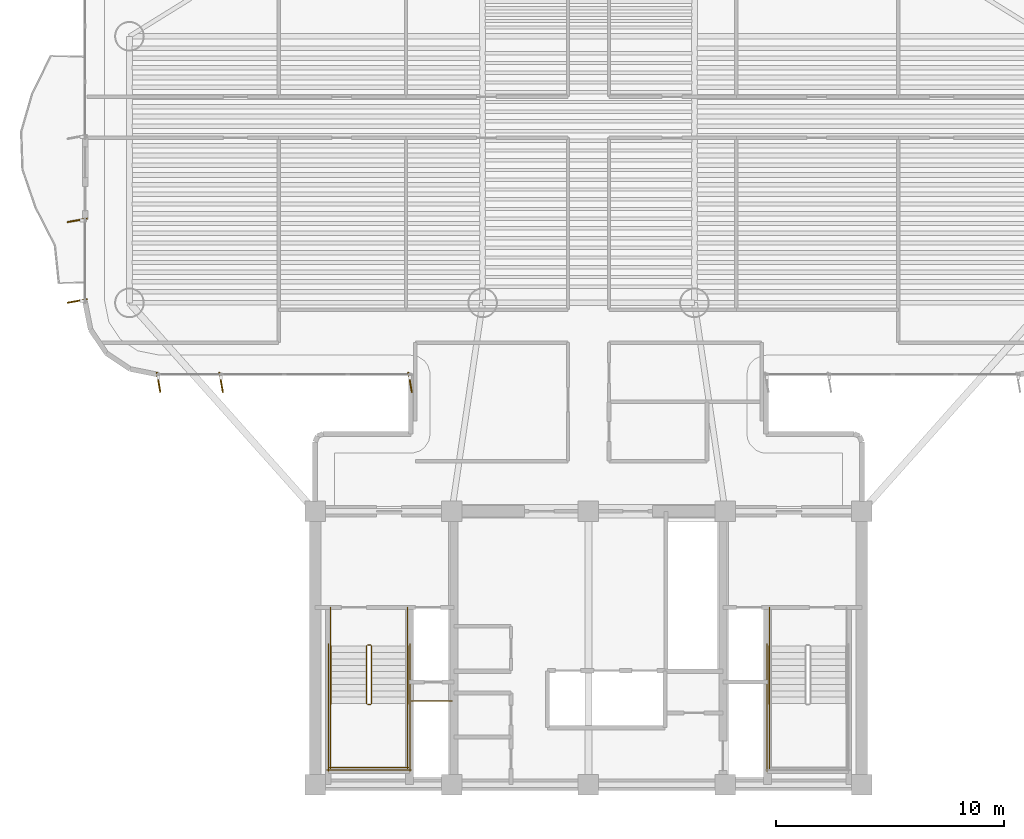
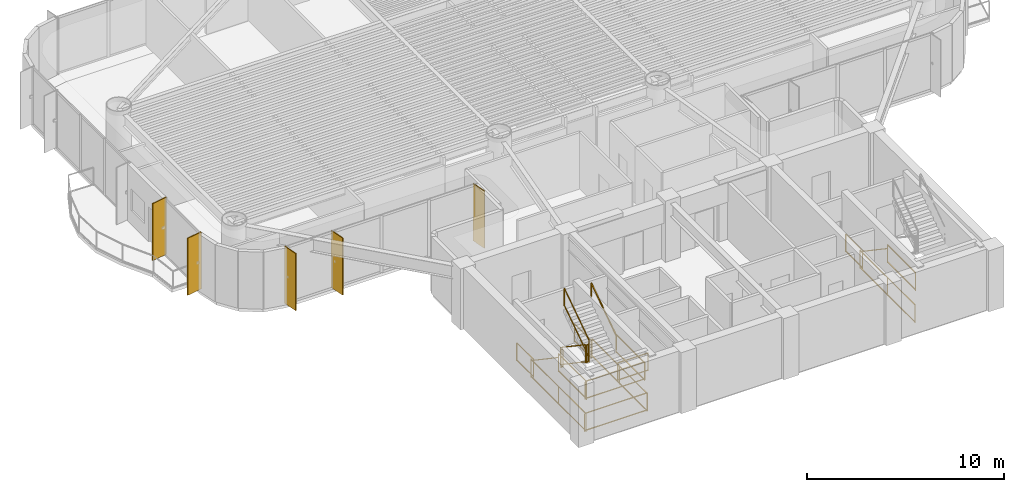
# One storey, part 13 of 16: 19 railings, 5 shading devices.
"""IFC4 building model written with IfcOpenShell, lengths in metres."""

from ifc_helpers import new_model, si_unit, direction, frame, origin, origin_2d, place, context, subcontext, project, spatial, rectangle, extrude, source, transform, mapped, material, layer, layer_set, material_profile, profile_set, type_object, element, save


model = new_model("IFC4")

# Units and contexts
model_context = context("Model", 3, precision=1e-05, world=origin(), true_north=direction((0.0, 1.0)))
body_context = subcontext(model_context, "Body", "Model", "MODEL_VIEW")
ifc_project = project(units=[si_unit("LENGTHUNIT", "METRE"), si_unit("AREAUNIT", "SQUARE_METRE"), si_unit("VOLUMEUNIT", "CUBIC_METRE"), si_unit("PLANEANGLEUNIT", "RADIAN"), si_unit("MASSUNIT", "GRAM", prefix="KILO")], contexts=[model_context])

# Site, building, storey
site_placement = place(None, origin())
site = spatial("IfcSite", under=ifc_project, at=site_placement, CompositionType="ELEMENT")
building_placement = place(site_placement, origin())
building = spatial("IfcBuilding", under=site, at=building_placement, Name="Brelvock Crest Care Tower", CompositionType="ELEMENT")
storey_placement = place(building_placement, frame((0.0, 0.0, 120.06005859375)))
storey = spatial("IfcBuildingStorey", under=building, at=storey_placement, Name="L30", CompositionType="ELEMENT", Elevation=120.06005859375)

# Railings
ifc_material_1 = material(Name="Steel Grade 350", Category="steel")
ifc_layer_1 = layer(ifc_material_1, 0.050048828125, Name="RL-STG1")
ifc_layer_set_1 = layer_set([ifc_layer_1], Name="Steel Grade 350")
railing_type_1 = type_object("IfcRailingType", Name="RL-STG1", PredefinedType="GUARDRAIL", material=ifc_layer_set_1)
railing_1_placement = place(storey_placement, frame((26.260009765625, 12.080078125, 0.18896484375)))
element("IfcRailing", 1, at=railing_1_placement, inside=storey, type_object=railing_type_1, Name="L30 ST-1 stair guard 1", PredefinedType="GUARDRAIL", context=body_context, shape_type="SweptSolid", body=[
    extrude(rectangle(XDim=0.048095703125, YDim=0.048095703125, at=origin_2d()), frame((0.0, -0.001708984375, 1.116943359375), z_axis=(0.0, -0.828861706735, 0.559453546873), x_axis=(1.0, 0.0, 0.0)), (0.0, 0.0, 1.0), 3.036376953125),
    extrude(rectangle(XDim=0.048095703125, YDim=0.048095703125, at=origin_2d()), frame((0.0, -0.001708984375, 0.05615234375), z_axis=(0.0, -0.828861706735, 0.559453546873), x_axis=(1.0, 0.0, 0.0)), (0.0, 0.0, 1.0), 3.036376953125),
    extrude(rectangle(XDim=0.0419921875, YDim=0.0419921875, at=origin_2d()), origin(), (0.0, 0.0, 1.0), 1.08984375),
    extrude(rectangle(XDim=0.0419921875, YDim=0.0419921875, at=origin_2d()), frame((0.0, -2.52001953125, 1.700927734375)), (0.0, 0.0, 1.0), 1.08984375),
])
railing_2_placement = place(storey_placement, frame((26.31005859375, 9.510009765625, 1.889892578125)))
element("IfcRailing", 2, at=railing_2_placement, inside=storey, type_object=railing_type_1, Name="L30 ST-1 stair guard 2", PredefinedType="GUARDRAIL", context=body_context, shape_type="SweptSolid", body=[
    extrude(rectangle(XDim=0.048095703125, YDim=0.048095703125, at=origin_2d()), frame((0.001953125, 0.0, 1.11572265625), z_axis=(1.0, 0.0, 0.0), x_axis=(0.0, 1.0, 0.0)), (0.0, 0.0, 1.0), 0.115966796875),
    extrude(rectangle(XDim=0.048095703125, YDim=0.048095703125, at=origin_2d()), frame((0.001953125, 0.0, 0.054931640625), z_axis=(1.0, 0.0, 0.0), x_axis=(0.0, 1.0, 0.0)), (0.0, 0.0, 1.0), 0.115966796875),
    extrude(rectangle(XDim=0.0419921875, YDim=0.0419921875, at=origin_2d()), origin(), (0.0, 0.0, 1.0), 1.08984375),
    extrude(rectangle(XDim=0.0419921875, YDim=0.0419921875, at=origin_2d()), frame((0.119873046875, 0.0, 0.0)), (0.0, 0.0, 1.0), 1.08984375),
])
for number, where, name in (
    (3, (24.679931640625, 9.56005859375, 1.889892578125), "L30 ST-1 stair guard 3"),
    (4, (28.06005859375, 9.56005859375, 1.889892578125), "L30 ST-1 stair guard 4"),
):
    element("IfcRailing", number, at=place(storey_placement, frame(where)), inside=storey, type_object=railing_type_1, Name=name, PredefinedType="GUARDRAIL", context=body_context, shape_type="SweptSolid", body=[
        extrude(rectangle(XDim=0.048095703125, YDim=0.048095703125, at=origin_2d()), frame((0.0, -0.001953125, 1.11572265625), z_axis=(0.0, -1.0, 0.0), x_axis=(1.0, 0.0, 0.0)), (0.0, 0.0, 1.0), 2.856201171875),
        extrude(rectangle(XDim=0.048095703125, YDim=0.048095703125, at=origin_2d()), frame((0.0, -0.001953125, 0.054931640625), z_axis=(0.0, -1.0, 0.0), x_axis=(1.0, 0.0, 0.0)), (0.0, 0.0, 1.0), 2.856201171875),
        extrude(rectangle(XDim=0.0419921875, YDim=0.0419921875, at=origin_2d()), origin(), (0.0, 0.0, 1.0), 1.08984375),
        extrude(rectangle(XDim=0.0419921875, YDim=0.0419921875, at=origin_2d()), frame((0.0, -2.860107421875, 0.0)), (0.0, 0.0, 1.0), 1.08984375),
    ])
railing_3_placement = place(storey_placement, frame((24.6298828125, 6.75, 1.889892578125)))
element("IfcRailing", 5, at=railing_3_placement, inside=storey, type_object=railing_type_1, Name="L30 ST-1 stair guard 5", PredefinedType="GUARDRAIL", context=body_context, shape_type="SweptSolid", body=[
    extrude(rectangle(XDim=0.048095703125, YDim=0.048095703125, at=origin_2d()), frame((0.001953125, 0.0, 1.11572265625), z_axis=(1.0, 0.0, 0.0), x_axis=(0.0, 1.0, 0.0)), (0.0, 0.0, 1.0), 3.476318359375),
    extrude(rectangle(XDim=0.048095703125, YDim=0.048095703125, at=origin_2d()), frame((0.001953125, 0.0, 0.054931640625), z_axis=(1.0, 0.0, 0.0), x_axis=(0.0, 1.0, 0.0)), (0.0, 0.0, 1.0), 3.476318359375),
    extrude(rectangle(XDim=0.0419921875, YDim=0.0419921875, at=origin_2d()), origin(), (0.0, 0.0, 1.0), 1.08984375),
    extrude(rectangle(XDim=0.0419921875, YDim=0.0419921875, at=origin_2d()), frame((3.480224609375, 0.0, 0.0)), (0.0, 0.0, 1.0), 1.08984375),
])
railing_4_placement = place(storey_placement, frame((26.47998046875, 9.56005859375, 2.078857421875)))
element("IfcRailing", 6, at=railing_4_placement, inside=storey, type_object=railing_type_1, Name="L30 ST-1 stair guard 6", PredefinedType="GUARDRAIL", context=body_context, shape_type="SweptSolid", body=[
    extrude(rectangle(XDim=0.048095703125, YDim=0.048095703125, at=origin_2d()), frame((0.0, 0.001708984375, 1.116943359375), z_axis=(0.0, 0.82882447046, 0.559508710537), x_axis=(-1.0, 0.0, 0.0)), (0.0, 0.0, 1.0), 3.036376953125),
    extrude(rectangle(XDim=0.048095703125, YDim=0.048095703125, at=origin_2d()), frame((0.0, 0.001708984375, 0.05615234375), z_axis=(0.0, 0.82882447046, 0.559508710537), x_axis=(-1.0, 0.0, 0.0)), (0.0, 0.0, 1.0), 3.036376953125),
    extrude(rectangle(XDim=0.0419921875, YDim=0.0419921875, at=origin_2d()), origin(), (0.0, 0.0, 1.0), 1.08984375),
    extrude(rectangle(XDim=0.0419921875, YDim=0.0419921875, at=origin_2d()), frame((0.0, 2.52001953125, 1.701171875)), (0.0, 0.0, 1.0), 1.08984375),
])
railing_5_placement = place(storey_placement, frame((26.31005859375, 12.1298828125, 0.0)))
element("IfcRailing", 7, at=railing_5_placement, inside=storey, type_object=railing_type_1, Name="L30 ST-1 stair guard 7", PredefinedType="GUARDRAIL", context=body_context, shape_type="SweptSolid", body=[
    extrude(rectangle(XDim=0.048095703125, YDim=0.048095703125, at=origin_2d()), frame((0.001953125, 0.0, 1.11572265625), z_axis=(1.0, 0.0, 0.0), x_axis=(0.0, 1.0, 0.0)), (0.0, 0.0, 1.0), 0.115966796875),
    extrude(rectangle(XDim=0.048095703125, YDim=0.048095703125, at=origin_2d()), frame((0.001953125, 0.0, 0.054931640625), z_axis=(1.0, 0.0, 0.0), x_axis=(0.0, 1.0, 0.0)), (0.0, 0.0, 1.0), 0.115966796875),
    extrude(rectangle(XDim=0.0419921875, YDim=0.0419921875, at=origin_2d()), origin(), (0.0, 0.0, 1.0), 1.08984375),
    extrude(rectangle(XDim=0.0419921875, YDim=0.0419921875, at=origin_2d()), frame((0.119873046875, 0.0, 0.0)), (0.0, 0.0, 1.0), 1.08984375),
])
for number, where, name in (
    (8, (24.679931640625, 13.780029296875, 0.0), "L30 ST-1 stair guard 8"),
    (9, (28.06005859375, 13.780029296875, 0.0), "L30 ST-1 stair guard 9"),
):
    element("IfcRailing", number, at=place(storey_placement, frame(where)), inside=storey, type_object=railing_type_1, Name=name, PredefinedType="GUARDRAIL", context=body_context, shape_type="SweptSolid", body=[
        extrude(rectangle(XDim=0.048095703125, YDim=0.048095703125, at=origin_2d()), frame((0.0, -0.001953125, 1.11572265625), z_axis=(0.0, -1.0, 0.0), x_axis=(1.0, 0.0, 0.0)), (0.0, 0.0, 1.0), 1.696044921875),
        extrude(rectangle(XDim=0.048095703125, YDim=0.048095703125, at=origin_2d()), frame((0.0, -0.001953125, 0.054931640625), z_axis=(0.0, -1.0, 0.0), x_axis=(1.0, 0.0, 0.0)), (0.0, 0.0, 1.0), 1.696044921875),
        extrude(rectangle(XDim=0.0419921875, YDim=0.0419921875, at=origin_2d()), origin(), (0.0, 0.0, 1.0), 1.08984375),
        extrude(rectangle(XDim=0.0419921875, YDim=0.0419921875, at=origin_2d()), frame((0.0, -1.699951171875, 0.0)), (0.0, 0.0, 1.0), 1.08984375),
    ])
for number, where, name in (
    (10, (24.580078125, 12.179931640625, 0.0), "L30 ST-1 stair guard 10"),
    (11, (28.159912109375, 12.179931640625, 0.0), "L30 ST-1 stair guard 11"),
):
    element("IfcRailing", number, at=place(storey_placement, frame(where)), inside=storey, type_object=railing_type_1, Name=name, PredefinedType="GUARDRAIL", context=body_context, shape_type="SweptSolid", body=[
        extrude(rectangle(XDim=0.048095703125, YDim=0.048095703125, at=origin_2d()), frame((0.0, -0.001953125, 1.11572265625), z_axis=(0.0, -1.0, 0.0), x_axis=(1.0, 0.0, 0.0)), (0.0, 0.0, 1.0), 5.575927734375),
        extrude(rectangle(XDim=0.048095703125, YDim=0.048095703125, at=origin_2d()), frame((0.0, -0.001953125, 0.054931640625), z_axis=(0.0, -1.0, 0.0), x_axis=(1.0, 0.0, 0.0)), (0.0, 0.0, 1.0), 5.575927734375),
        extrude(rectangle(XDim=0.0419921875, YDim=0.0419921875, at=origin_2d()), origin(), (0.0, 0.0, 1.0), 1.08984375),
        extrude(rectangle(XDim=0.0419921875, YDim=0.0419921875, at=origin_2d()), frame((0.0, -2.7900390625, 0.0)), (0.0, 0.0, 1.0), 1.08984375),
        extrude(rectangle(XDim=0.0419921875, YDim=0.0419921875, at=origin_2d()), frame((0.0, -5.579833984375, 0.0)), (0.0, 0.0, 1.0), 1.08984375),
    ])
railing_6_placement = place(storey_placement, frame((24.530029296875, 6.64990234375, 0.0)))
element("IfcRailing", 12, at=railing_6_placement, inside=storey, type_object=railing_type_1, Name="L30 ST-1 stair guard 12", PredefinedType="GUARDRAIL", context=body_context, shape_type="SweptSolid", body=[
    extrude(rectangle(XDim=0.048095703125, YDim=0.048095703125, at=origin_2d()), frame((0.001953125, 0.0, 1.11572265625), z_axis=(1.0, 0.0, 0.0), x_axis=(0.0, 1.0, 0.0)), (0.0, 0.0, 1.0), 3.676025390625),
    extrude(rectangle(XDim=0.048095703125, YDim=0.048095703125, at=origin_2d()), frame((0.001953125, 0.0, 0.054931640625), z_axis=(1.0, 0.0, 0.0), x_axis=(0.0, 1.0, 0.0)), (0.0, 0.0, 1.0), 3.676025390625),
    extrude(rectangle(XDim=0.0419921875, YDim=0.0419921875, at=origin_2d()), origin(), (0.0, 0.0, 1.0), 1.08984375),
    extrude(rectangle(XDim=0.0419921875, YDim=0.0419921875, at=origin_2d()), frame((3.679931640625, 0.0, 0.0)), (0.0, 0.0, 1.0), 1.08984375),
])
railing_7_placement = place(storey_placement, frame((43.93994140625, 9.56005859375, 1.889892578125)))
element("IfcRailing", 13, at=railing_7_placement, inside=storey, type_object=railing_type_1, Name="L30 ST-2 stair guard 3", PredefinedType="GUARDRAIL", context=body_context, shape_type="SweptSolid", body=[
    extrude(rectangle(XDim=0.048095703125, YDim=0.048095703125, at=origin_2d()), frame((0.0, -0.001953125, 1.11572265625), z_axis=(0.0, -1.0, 0.0), x_axis=(1.0, 0.0, 0.0)), (0.0, 0.0, 1.0), 2.856201171875),
    extrude(rectangle(XDim=0.048095703125, YDim=0.048095703125, at=origin_2d()), frame((0.0, -0.001953125, 0.054931640625), z_axis=(0.0, -1.0, 0.0), x_axis=(1.0, 0.0, 0.0)), (0.0, 0.0, 1.0), 2.856201171875),
    extrude(rectangle(XDim=0.0419921875, YDim=0.0419921875, at=origin_2d()), origin(), (0.0, 0.0, 1.0), 1.08984375),
    extrude(rectangle(XDim=0.0419921875, YDim=0.0419921875, at=origin_2d()), frame((0.0, -2.860107421875, 0.0)), (0.0, 0.0, 1.0), 1.08984375),
])
railing_8_placement = place(storey_placement, frame((43.93994140625, 13.780029296875, 0.0)))
element("IfcRailing", 14, at=railing_8_placement, inside=storey, type_object=railing_type_1, Name="L30 ST-2 stair guard 8", PredefinedType="GUARDRAIL", context=body_context, shape_type="SweptSolid", body=[
    extrude(rectangle(XDim=0.048095703125, YDim=0.048095703125, at=origin_2d()), frame((0.0, -0.001953125, 1.11572265625), z_axis=(0.0, -1.0, 0.0), x_axis=(1.0, 0.0, 0.0)), (0.0, 0.0, 1.0), 1.696044921875),
    extrude(rectangle(XDim=0.048095703125, YDim=0.048095703125, at=origin_2d()), frame((0.0, -0.001953125, 0.054931640625), z_axis=(0.0, -1.0, 0.0), x_axis=(1.0, 0.0, 0.0)), (0.0, 0.0, 1.0), 1.696044921875),
    extrude(rectangle(XDim=0.0419921875, YDim=0.0419921875, at=origin_2d()), origin(), (0.0, 0.0, 1.0), 1.08984375),
    extrude(rectangle(XDim=0.0419921875, YDim=0.0419921875, at=origin_2d()), frame((0.0, -1.699951171875, 0.0)), (0.0, 0.0, 1.0), 1.08984375),
])
railing_9_placement = place(storey_placement, frame((43.840087890625, 12.179931640625, 0.0)))
element("IfcRailing", 15, at=railing_9_placement, inside=storey, type_object=railing_type_1, Name="L30 ST-2 stair guard 10", PredefinedType="GUARDRAIL", context=body_context, shape_type="SweptSolid", body=[
    extrude(rectangle(XDim=0.048095703125, YDim=0.048095703125, at=origin_2d()), frame((0.0, -0.001953125, 1.11572265625), z_axis=(0.0, -1.0, 0.0), x_axis=(1.0, 0.0, 0.0)), (0.0, 0.0, 1.0), 5.575927734375),
    extrude(rectangle(XDim=0.048095703125, YDim=0.048095703125, at=origin_2d()), frame((0.0, -0.001953125, 0.054931640625), z_axis=(0.0, -1.0, 0.0), x_axis=(1.0, 0.0, 0.0)), (0.0, 0.0, 1.0), 5.575927734375),
    extrude(rectangle(XDim=0.0419921875, YDim=0.0419921875, at=origin_2d()), origin(), (0.0, 0.0, 1.0), 1.08984375),
    extrude(rectangle(XDim=0.0419921875, YDim=0.0419921875, at=origin_2d()), frame((0.0, -2.7900390625, 0.0)), (0.0, 0.0, 1.0), 1.08984375),
    extrude(rectangle(XDim=0.0419921875, YDim=0.0419921875, at=origin_2d()), frame((0.0, -5.579833984375, 0.0)), (0.0, 0.0, 1.0), 1.08984375),
])
railing_10_placement = place(storey_placement, frame((28.219970703125, 9.679931640625, 0.0)))
element("IfcRailing", 16, at=railing_10_placement, inside=storey, type_object=railing_type_1, Name="L30 Fire Riser Threshold Guard", PredefinedType="GUARDRAIL", context=body_context, shape_type="SweptSolid", body=[
    extrude(rectangle(XDim=0.048095703125, YDim=0.048095703125, at=origin_2d()), frame((0.001953125, 0.0, 1.11572265625), z_axis=(1.0, 0.0, 0.0), x_axis=(0.0, 1.0, 0.0)), (0.0, 0.0, 1.0), 1.776123046875),
    extrude(rectangle(XDim=0.048095703125, YDim=0.048095703125, at=origin_2d()), frame((0.001953125, 0.0, 0.054931640625), z_axis=(1.0, 0.0, 0.0), x_axis=(0.0, 1.0, 0.0)), (0.0, 0.0, 1.0), 1.776123046875),
    extrude(rectangle(XDim=0.0419921875, YDim=0.0419921875, at=origin_2d()), origin(), (0.0, 0.0, 1.0), 1.08984375),
    extrude(rectangle(XDim=0.0419921875, YDim=0.0419921875, at=origin_2d()), frame((1.780029296875, 0.0, 0.0)), (0.0, 0.0, 1.0), 1.08984375),
])
ifc_layer_2 = layer(ifc_material_1, 0.048095703125, Name="RL-STH1")
ifc_layer_set_2 = layer_set([ifc_layer_2], Name="Steel Grade 350")
railing_type_2 = type_object("IfcRailingType", Name="RL-STH1", PredefinedType="HANDRAIL", material=ifc_layer_set_2)
railing_11_placement = place(storey_placement, frame((24.679931640625, 12.080078125, 0.18896484375)))
element("IfcRailing", 17, at=railing_11_placement, inside=storey, type_object=railing_type_2, Name="L30 ST-1 stair handrail 1", PredefinedType="HANDRAIL", context=body_context, shape_type="SweptSolid", body=[
    extrude(rectangle(XDim=0.048095703125, YDim=0.048095703125, at=origin_2d()), frame((0.0, -0.001708984375, 0.876953125), z_axis=(0.0, -0.828861706735, 0.559453546873), x_axis=(1.0, 0.0, 0.0)), (0.0, 0.0, 1.0), 3.036376953125),
    extrude(rectangle(XDim=0.0419921875, YDim=0.0419921875, at=origin_2d()), origin(), (0.0, 0.0, 1.0), 0.849853515625),
    extrude(rectangle(XDim=0.0419921875, YDim=0.0419921875, at=origin_2d()), frame((0.0, -2.52001953125, 1.700927734375)), (0.0, 0.0, 1.0), 0.849853515625),
])
railing_12_placement = place(storey_placement, frame((28.06005859375, 9.56005859375, 2.078857421875)))
element("IfcRailing", 18, at=railing_12_placement, inside=storey, type_object=railing_type_2, Name="L30 ST-1 stair handrail 2", PredefinedType="HANDRAIL", context=body_context, shape_type="SweptSolid", body=[
    extrude(rectangle(XDim=0.048095703125, YDim=0.048095703125, at=origin_2d()), frame((0.0, 0.001708984375, 0.876953125), z_axis=(0.0, 0.82882447046, 0.559508710537), x_axis=(-1.0, 0.0, 0.0)), (0.0, 0.0, 1.0), 3.036376953125),
    extrude(rectangle(XDim=0.0419921875, YDim=0.0419921875, at=origin_2d()), origin(), (0.0, 0.0, 1.0), 0.849853515625),
    extrude(rectangle(XDim=0.0419921875, YDim=0.0419921875, at=origin_2d()), frame((0.0, 2.52001953125, 1.701171875)), (0.0, 0.0, 1.0), 0.849853515625),
])
railing_13_placement = place(storey_placement, frame((43.93994140625, 12.080078125, 0.18896484375)))
element("IfcRailing", 19, at=railing_13_placement, inside=storey, type_object=railing_type_2, Name="L30 ST-2 stair handrail 1", PredefinedType="HANDRAIL", context=body_context, shape_type="SweptSolid", body=[
    extrude(rectangle(XDim=0.048095703125, YDim=0.048095703125, at=origin_2d()), frame((0.0, -0.001708984375, 0.876953125), z_axis=(0.0, -0.828861706735, 0.559453546873), x_axis=(1.0, 0.0, 0.0)), (0.0, 0.0, 1.0), 3.036376953125),
    extrude(rectangle(XDim=0.0419921875, YDim=0.0419921875, at=origin_2d()), origin(), (0.0, 0.0, 1.0), 0.849853515625),
    extrude(rectangle(XDim=0.0419921875, YDim=0.0419921875, at=origin_2d()), frame((0.0, -2.52001953125, 1.700927734375)), (0.0, 0.0, 1.0), 0.849853515625),
])

# Shading devices
ifc_material_2 = material(Name="Aluminium 6063-T6", Category="aluminium")
ifc_material_profile = material_profile(ifc_material_2, rectangle(XDim=0.054931640625, YDim=0.89990234375, at=origin_2d()), Name="FIN55x900")
ifc_profile_set = profile_set([ifc_material_profile], Name="Aluminium 6063-T6")
shading_device_type = type_object("IfcShadingDeviceType", Name="SHD-FIN1", PredefinedType="USERDEFINED", material=ifc_profile_set)
shared_shape = source(origin(), body_context, "Body", "SweptSolid", [
    extrude(rectangle(XDim=0.054931640625, YDim=0.89990234375, at=origin_2d()), origin(), (0.0, 0.0, 1.0), 3.530029296875),
])
for number, where, z_axis, x_axis, name in (
    (20, (28.169921875, 23.659912109375, 0.0), (0.0, 0.0, 1.0), (-0.984807753012, -0.173648177667, 0.0), "L30 Vertical Sunshade Fin E12-01"),
    (21, (19.875, 23.659912109375, 0.0), (0.0, 0.0, 1.0), (-0.984807753012, -0.173648177667, 0.0), "L30 Vertical Sunshade Fin E12-04"),
    (22, (17.1298828125, 23.659912109375, 0.0), (0.0, 0.0, 1.0), (-0.984807753012, -0.173648177667, 0.0), "L30 Vertical Sunshade Fin E12-05"),
    (23, (13.56005859375, 27.22998046875, 0.0), (0.0, 0.0, 1.0), (-0.173648177667, 0.984807753012, 0.0), "L30 Vertical Sunshade Fin E17A-01"),
    (24, (13.56005859375, 30.77001953125, 0.0), (0.0, 0.0, 1.0), (-0.173648177667, 0.984807753012, 0.0), "L30 Vertical Sunshade Fin E17A-02"),
):
    element("IfcShadingDevice", number, at=place(storey_placement, frame(where, z_axis=z_axis, x_axis=x_axis)), inside=storey, type_object=shading_device_type, Name=name, ObjectType="FIN", PredefinedType="USERDEFINED", context=body_context, shape_type="MappedRepresentation", body=[
        mapped(shared_shape, transform((0.0, 0.0, 0.0), x_axis=(1.0, 0.0, 0.0), y_axis=(0.0, 1.0, 0.0), z_axis=(0.0, 0.0, 1.0), scale=1.0)),
    ])

save(model, "model.ifc")
